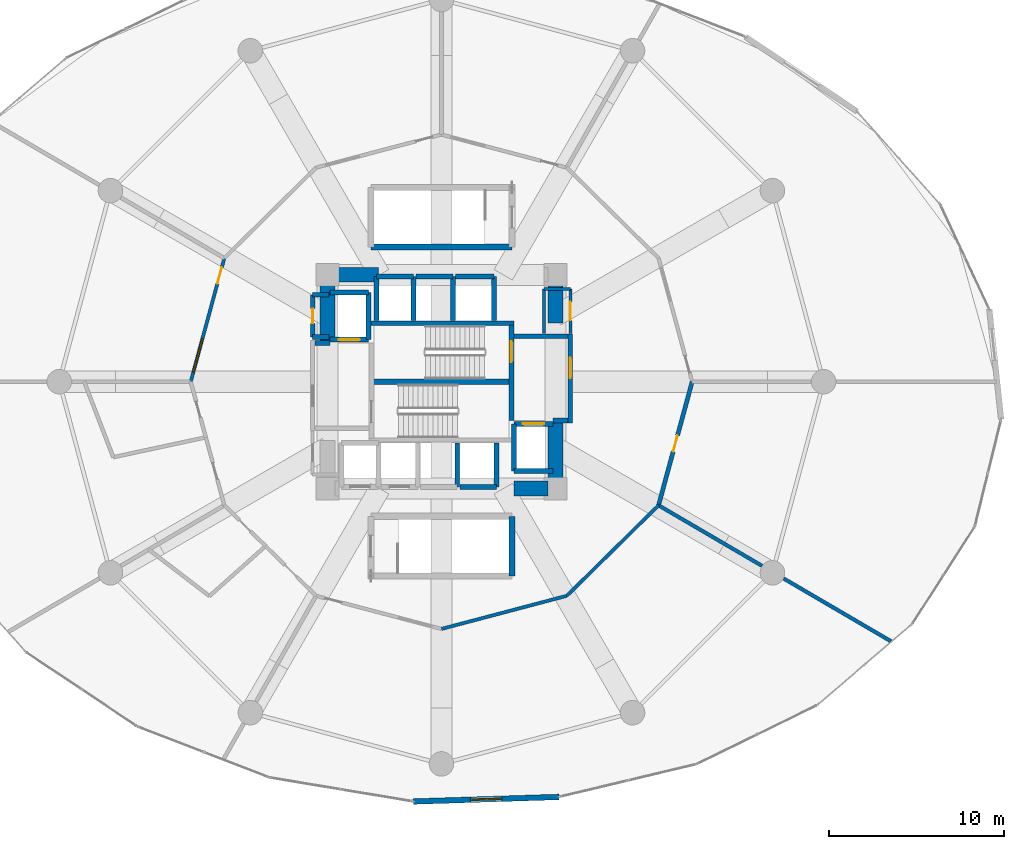
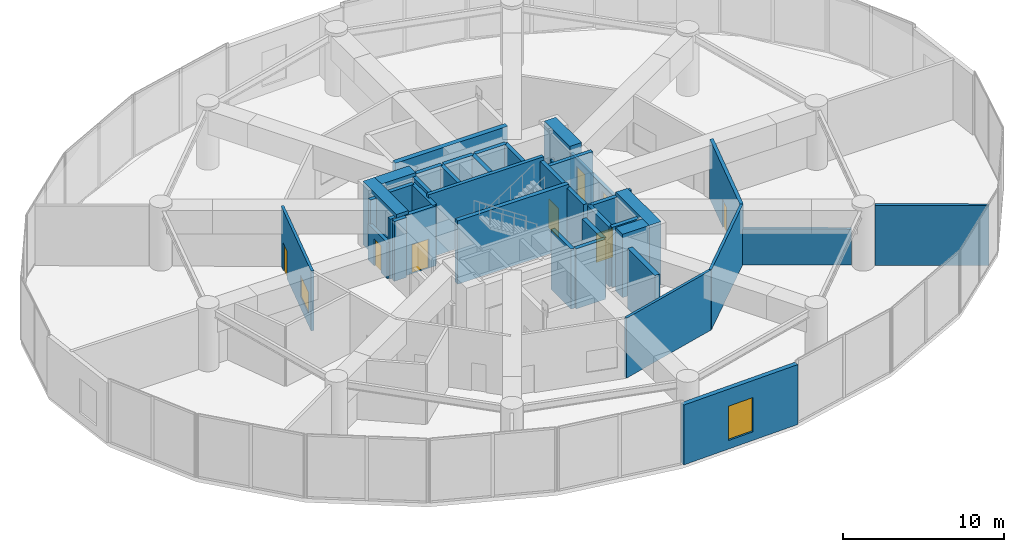
# One storey, part 24 of 27: 43 walls, 8 doors, 2 windows, 10 openings.
"""IFC4 building model written with IfcOpenShell, lengths in metres."""

from ifc_helpers import new_model, si_unit, direction, frame, frame_2d, origin, place, context, subcontext, project, spatial, rectangle, extrude, material, layer, layer_set, type_object, element, fill, save


model = new_model("IFC4")

# Units and contexts
model_context = context("Model", 3, precision=1e-05, world=origin(), true_north=direction((0.0, 1.0)))
body_context = subcontext(model_context, "Body", "Model", "MODEL_VIEW")
ifc_project = project(units=[si_unit("LENGTHUNIT", "METRE"), si_unit("AREAUNIT", "SQUARE_METRE"), si_unit("VOLUMEUNIT", "CUBIC_METRE"), si_unit("PLANEANGLEUNIT", "RADIAN"), si_unit("MASSUNIT", "GRAM", prefix="KILO")], contexts=[model_context])

# Site, building, storey
site_placement = place(None, origin())
site = spatial("IfcSite", under=ifc_project, at=site_placement, CompositionType="ELEMENT")
building_placement = place(site_placement, origin())
building = spatial("IfcBuilding", under=site, at=building_placement, Name="Solvirekh Grand Hotel", CompositionType="ELEMENT")
storey_placement = place(building_placement, frame((0.0, 0.0, 23.60009765625)))
storey = spatial("IfcBuildingStorey", under=building, at=storey_placement, Name="L04", CompositionType="ELEMENT", Elevation=23.60009765625)

# Walls
ifc_material_1 = material(Name="Concrete C50/60", Category="concrete")
ifc_layer_1 = layer(ifc_material_1, 0.35009765625)
ifc_layer_set_1 = layer_set([ifc_layer_1], Name="Concrete C50/60")
wall_type_1 = type_object("IfcWallType", Name="CoreDivWall_RC350", PredefinedType="SOLIDWALL", material=ifc_layer_set_1)
wall_1_placement = place(storey_placement, frame((-4.1298828125, 3.324951171875, 0.0), z_axis=(0.0, 0.0, 1.0), x_axis=(1.0, 0.0, 0.0)))
element("IfcWall", 1, at=wall_1_placement, inside=storey, type_object=wall_type_1, Name="L04 core stair box wall ST-N", PredefinedType="SOLIDWALL", context=body_context, shape_type="SweptSolid", body=[
    extrude(rectangle(XDim=8.259765625, YDim=0.25, at=frame_2d((4.1298828125, 0.0))), origin(), (0.0, 0.0, 1.0), 4.7998046875),
])
wall_2_placement = place(storey_placement, frame((4.02490234375, -11.074951171875, 0.0), z_axis=(0.0, 0.0, 1.0), x_axis=(0.0, 1.0, 0.0)))
element("IfcWall", 2, at=wall_2_placement, inside=storey, type_object=wall_type_1, Name="L04 podium stair ST-3 E enclosure wall", PredefinedType="SOLIDWALL", context=body_context, shape_type="SweptSolid", body=[
    extrude(rectangle(XDim=3.39990234375, YDim=0.35009765625, at=frame_2d((1.699951171875, 0.0))), origin(), (0.0, 0.0, 1.0), 4.539794921875),
])
wall_3_placement = place(storey_placement, frame((-4.02490234375, 7.675048828125, 0.0), z_axis=(0.0, 0.0, 1.0), x_axis=(1.0, 0.0, 0.0)))
element("IfcWall", 3, at=wall_3_placement, inside=storey, type_object=wall_type_1, Name="L04 feature stair ST-4 S enclosure wall", PredefinedType="SOLIDWALL", context=body_context, shape_type="SweptSolid", body=[
    extrude(rectangle(XDim=8.0498046875, YDim=0.35009765625, at=frame_2d((4.02490234375, 0.0))), origin(), (0.0, 0.0, 1.0), 4.539794921875),
])
ifc_material_2 = material(Name="Concrete C40/50", Category="concrete")
ifc_layer_2 = layer(ifc_material_2, 0.280029296875)
ifc_layer_set_2 = layer_set([ifc_layer_2], Name="Concrete C40/50")
wall_type_2 = type_object("IfcWallType", Name="CoreShaftWall_RC280", PredefinedType="SOLIDWALL", material=ifc_layer_set_2)
wall_4_placement = place(storey_placement, frame((0.89990234375, -6.0, 0.0), z_axis=(0.0, 0.0, 1.0), x_axis=(0.0, 1.0, 0.0)))
element("IfcWall", 4, at=wall_4_placement, inside=storey, type_object=wall_type_2, Name="L04 MP-1 hoistway E wall", PredefinedType="SOLIDWALL", context=body_context, shape_type="SweptSolid", body=[
    extrude(rectangle(XDim=2.5, YDim=0.280029296875, at=frame_2d((1.25, 0.0))), origin(), (0.0, 0.0, 1.0), 4.539794921875),
])
wall_5_placement = place(storey_placement, frame((1.050048828125, -6.0, 0.0), z_axis=(0.0, 0.0, 1.0), x_axis=(1.0, 0.0, 0.0)))
element("IfcWall", 5, at=wall_5_placement, inside=storey, type_object=wall_type_2, Name="L04 MP-2 hoistway S wall", PredefinedType="SOLIDWALL", context=body_context, shape_type="SweptSolid", body=[
    extrude(rectangle(XDim=2.099853515625, YDim=0.280029296875, at=frame_2d((1.0498046875, 0.0))), origin(), (0.0, 0.0, 1.0), 4.539794921875),
])
wall_6_placement = place(storey_placement, frame((3.14990234375, -6.0, 0.0), z_axis=(0.0, 0.0, 1.0), x_axis=(0.0, 1.0, 0.0)))
element("IfcWall", 6, at=wall_6_placement, inside=storey, type_object=wall_type_2, Name="L04 MP-2 hoistway E wall", PredefinedType="SOLIDWALL", context=body_context, shape_type="SweptSolid", body=[
    extrude(rectangle(XDim=2.5, YDim=0.280029296875, at=frame_2d((1.25, 0.0))), origin(), (0.0, 0.0, 1.0), 4.539794921875),
])
wall_7_placement = place(storey_placement, frame((-1.60009765625, 6.0, 0.0), z_axis=(0.0, 0.0, 1.0), x_axis=(-1.0, 0.0, 0.0)))
element("IfcWall", 7, at=wall_7_placement, inside=storey, type_object=wall_type_2, Name="L04 HP-1 hoistway N wall", PredefinedType="SOLIDWALL", context=body_context, shape_type="SweptSolid", body=[
    extrude(rectangle(XDim=2.099853515625, YDim=0.280029296875, at=frame_2d((1.0498046875, 0.0))), origin(), (0.0, 0.0, 1.0), 4.539794921875),
])
for number, where, z_axis, x_axis, name in (
    (8, (-3.699951171875, 6.0, 0.0), (0.0, 0.0, 1.0), (0.0, -1.0, 0.0), "L04 HP-1 hoistway W wall"),
    (9, (-1.60009765625, 3.5, 0.0), (0.0, 0.0, 1.0), (0.0, 1.0, 0.0), "L04 HP-1 hoistway E wall"),
):
    element("IfcWall", number, at=place(storey_placement, frame(where, z_axis=z_axis, x_axis=x_axis)), inside=storey, type_object=wall_type_2, Name=name, PredefinedType="SOLIDWALL", context=body_context, shape_type="SweptSolid", body=[
        extrude(rectangle(XDim=2.5, YDim=0.280029296875, at=frame_2d((1.25, 0.0))), origin(), (0.0, 0.0, 1.0), 4.539794921875),
    ])
wall_8_placement = place(storey_placement, frame((0.64990234375, 6.0, 0.0), z_axis=(0.0, 0.0, 1.0), x_axis=(-1.0, 0.0, 0.0)))
element("IfcWall", 10, at=wall_8_placement, inside=storey, type_object=wall_type_2, Name="L04 HP-2 hoistway N wall", PredefinedType="SOLIDWALL", context=body_context, shape_type="SweptSolid", body=[
    extrude(rectangle(XDim=2.099853515625, YDim=0.280029296875, at=frame_2d((1.0498046875, 0.0))), origin(), (0.0, 0.0, 1.0), 4.539794921875),
])
wall_9_placement = place(storey_placement, frame((0.64990234375, 3.5, 0.0), z_axis=(0.0, 0.0, 1.0), x_axis=(0.0, 1.0, 0.0)))
element("IfcWall", 11, at=wall_9_placement, inside=storey, type_object=wall_type_2, Name="L04 HP-2 hoistway E wall", PredefinedType="SOLIDWALL", context=body_context, shape_type="SweptSolid", body=[
    extrude(rectangle(XDim=2.5, YDim=0.280029296875, at=frame_2d((1.25, 0.0))), origin(), (0.0, 0.0, 1.0), 4.539794921875),
])
wall_10_placement = place(storey_placement, frame((3.0, 6.0, 0.0), z_axis=(0.0, 0.0, 1.0), x_axis=(-1.0, 0.0, 0.0)))
element("IfcWall", 12, at=wall_10_placement, inside=storey, type_object=wall_type_2, Name="L04 EX-1 hoistway N wall", PredefinedType="SOLIDWALL", context=body_context, shape_type="SweptSolid", body=[
    extrude(rectangle(XDim=2.199951171875, YDim=0.280029296875, at=frame_2d((1.10009765625, 0.0))), origin(), (0.0, 0.0, 1.0), 4.539794921875),
])
wall_11_placement = place(storey_placement, frame((3.0, 3.5, 0.0), z_axis=(0.0, 0.0, 1.0), x_axis=(0.0, 1.0, 0.0)))
element("IfcWall", 13, at=wall_11_placement, inside=storey, type_object=wall_type_2, Name="L04 EX-1 hoistway E wall", PredefinedType="SOLIDWALL", context=body_context, shape_type="SweptSolid", body=[
    extrude(rectangle(XDim=2.5, YDim=0.280029296875, at=frame_2d((1.25, 0.0))), origin(), (0.0, 0.0, 1.0), 4.539794921875),
])

# Wall, opening, door
wall_12_placement = place(storey_placement, frame((-6.35009765625, 2.39990234375, 0.0), z_axis=(0.0, 0.0, 1.0), x_axis=(1.0, 0.0, 0.0)))
wall_12 = element("IfcWall", 14, at=wall_12_placement, inside=storey, type_object=wall_type_2, Name="L04 FL-1 hoistway S wall", PredefinedType="SOLIDWALL", context=body_context, shape_type="SweptSolid", body=[
    extrude(rectangle(XDim=2.2001953125, YDim=0.280029296875, at=frame_2d((1.10009765625, 0.0))), origin(), (0.0, 0.0, 1.0), 4.539794921875),
])
opening_1_placement = place(wall_12_placement, frame((0.5, 0.0, 0.0)))
opening_1 = element("IfcOpeningElement", 15, at=opening_1_placement, cuts=wall_12, Name="Opening LD02", PredefinedType="OPENING", context=body_context, shape_type="SweptSolid", body=[
    extrude(rectangle(XDim=1.199951171875, YDim=2.199951171875, at=frame_2d((0.60009765625, 1.10009765625))), frame((0.0, 0.14990234375, 0.0), z_axis=(0.0, -1.0, 0.0), x_axis=(1.0, 0.0, 0.0)), (0.0, 0.0, 1.0), 0.300048828125),
])
ifc_material_3 = material(Name="Fire-Rated Steel Door Assembly", Category="steel")
door_type_1 = type_object("IfcDoorType", Name="Door_LiftFF_1200X2200", OperationType="SLIDING_TO_LEFT", PredefinedType="DOOR", material=ifc_material_3)
door_1_placement = place(opening_1_placement, origin())
door_1 = element("IfcDoor", 16, at=door_1_placement, inside=storey, type_object=door_type_1, Name="L04 FL-1 sliding lift landing door", OperationType="SLIDING_TO_LEFT", OverallHeight=2.199951171875, OverallWidth=1.199951171875, PredefinedType="DOOR", context=body_context, shape_type="SweptSolid", body=[
    extrude(rectangle(XDim=1.199951171875, YDim=2.199951171875, at=frame_2d((0.60009765625, 1.10009765625))), frame((0.0, 0.02490234375, 0.0), z_axis=(0.0, -1.0, 0.0), x_axis=(1.0, 0.0, 0.0)), (0.0, 0.0, 1.0), 0.050048828125),
])
fill(opening_1, door_1)

# Walls
wall_13_placement = place(storey_placement, frame((-4.14990234375, 5.10009765625, 0.0), z_axis=(0.0, 0.0, 1.0), x_axis=(-1.0, 0.0, 0.0)))
element("IfcWall", 17, at=wall_13_placement, inside=storey, type_object=wall_type_2, Name="L04 FL-1 hoistway N wall", PredefinedType="SOLIDWALL", context=body_context, shape_type="SweptSolid", body=[
    extrude(rectangle(XDim=2.2001953125, YDim=0.280029296875, at=frame_2d((1.10009765625, 0.0))), origin(), (0.0, 0.0, 1.0), 4.539794921875),
])
wall_14_placement = place(storey_placement, frame((-4.14990234375, 2.39990234375, 0.0), z_axis=(0.0, 0.0, 1.0), x_axis=(0.0, 1.0, 0.0)))
element("IfcWall", 18, at=wall_14_placement, inside=storey, type_object=wall_type_2, Name="L04 FL-1 hoistway E wall", PredefinedType="SOLIDWALL", context=body_context, shape_type="SweptSolid", body=[
    extrude(rectangle(XDim=2.7001953125, YDim=0.280029296875, at=frame_2d((1.35009765625, 0.0))), origin(), (0.0, 0.0, 1.0), 4.539794921875),
])
wall_15_placement = place(storey_placement, frame((4.14990234375, -5.10009765625, 0.0), z_axis=(0.0, 0.0, 1.0), x_axis=(1.0, 0.0, 0.0)))
element("IfcWall", 19, at=wall_15_placement, inside=storey, type_object=wall_type_2, Name="L04 FL-2 hoistway S wall", PredefinedType="SOLIDWALL", context=body_context, shape_type="SweptSolid", body=[
    extrude(rectangle(XDim=2.2001953125, YDim=0.280029296875, at=frame_2d((1.10009765625, 0.0))), origin(), (0.0, 0.0, 1.0), 4.539794921875),
])

# Wall, opening, door
wall_16_placement = place(storey_placement, frame((6.35009765625, -2.39990234375, 0.0), z_axis=(0.0, 0.0, 1.0), x_axis=(-1.0, 0.0, 0.0)))
wall_16 = element("IfcWall", 20, at=wall_16_placement, inside=storey, type_object=wall_type_2, Name="L04 FL-2 hoistway N wall", PredefinedType="SOLIDWALL", context=body_context, shape_type="SweptSolid", body=[
    extrude(rectangle(XDim=2.2001953125, YDim=0.280029296875, at=frame_2d((1.10009765625, 0.0))), origin(), (0.0, 0.0, 1.0), 4.539794921875),
])
opening_2_placement = place(wall_16_placement, frame((0.5, 0.0, 0.0)))
opening_2 = element("IfcOpeningElement", 21, at=opening_2_placement, cuts=wall_16, Name="Opening LD02", PredefinedType="OPENING", context=body_context, shape_type="SweptSolid", body=[
    extrude(rectangle(XDim=1.199951171875, YDim=2.199951171875, at=frame_2d((0.60009765625, 1.10009765625))), frame((0.0, 0.14990234375, 0.0), z_axis=(0.0, -1.0, 0.0), x_axis=(1.0, 0.0, 0.0)), (0.0, 0.0, 1.0), 0.300048828125),
])
door_2_placement = place(opening_2_placement, origin())
door_2 = element("IfcDoor", 22, at=door_2_placement, inside=storey, type_object=door_type_1, Name="L04 FL-2 sliding lift landing door", OperationType="SLIDING_TO_LEFT", OverallHeight=2.199951171875, OverallWidth=1.199951171875, PredefinedType="DOOR", context=body_context, shape_type="SweptSolid", body=[
    extrude(rectangle(XDim=1.199951171875, YDim=2.199951171875, at=frame_2d((0.60009765625, 1.10009765625))), frame((0.0, 0.02490234375, 0.0), z_axis=(0.0, -1.0, 0.0), x_axis=(1.0, 0.0, 0.0)), (0.0, 0.0, 1.0), 0.050048828125),
])
fill(opening_2, door_2)

# Wall
wall_17_placement = place(storey_placement, frame((4.14990234375, -2.39990234375, 0.0), z_axis=(0.0, 0.0, 1.0), x_axis=(0.0, -1.0, 0.0)))
element("IfcWall", 23, at=wall_17_placement, inside=storey, type_object=wall_type_2, Name="L04 FL-2 hoistway W wall", PredefinedType="SOLIDWALL", context=body_context, shape_type="SweptSolid", body=[
    extrude(rectangle(XDim=2.7001953125, YDim=0.280029296875, at=frame_2d((1.35009765625, 0.0))), origin(), (0.0, 0.0, 1.0), 4.539794921875),
])

# Wall, opening, door
wall_18_placement = place(storey_placement, frame((3.989990234375, -2.2099609375, 0.0), z_axis=(0.0, 0.0, 1.0), x_axis=(0.0, 1.0, 0.0)))
wall_18 = element("IfcWall", 24, at=wall_18_placement, inside=storey, type_object=wall_type_2, Name="L04 east stair landing enclosure wall", PredefinedType="SOLIDWALL", context=body_context, shape_type="SweptSolid", body=[
    extrude(rectangle(XDim=5.4599609375, YDim=0.280029296875, at=frame_2d((2.72998046875, 0.0))), origin(), (0.0, 0.0, 1.0), 4.539794921875),
])
opening_3_placement = place(wall_18_placement, frame((3.322998046875, 0.0, 0.0)))
opening_3 = element("IfcOpeningElement", 25, at=opening_3_placement, cuts=wall_18, Name="Opening D05", PredefinedType="OPENING", context=body_context, shape_type="SweptSolid", body=[
    extrude(rectangle(XDim=1.199951171875, YDim=2.199951171875, at=frame_2d((0.60009765625, 1.10009765625))), frame((0.0, 0.14990234375, 0.0), z_axis=(0.0, -1.0, 0.0), x_axis=(1.0, 0.0, 0.0)), (0.0, 0.0, 1.0), 0.300048828125),
])
door_type_2 = type_object("IfcDoorType", Name="Door_StairCore_1200X2200", OperationType="NOTDEFINED", PredefinedType="DOOR", material=ifc_material_3)
door_3_placement = place(opening_3_placement, origin())
door_3 = element("IfcDoor", 26, at=door_3_placement, inside=storey, type_object=door_type_2, Name="L04 exit stair ST-2 fire door", OperationType="SINGLE_SWING_RIGHT", OverallHeight=2.199951171875, OverallWidth=1.199951171875, PredefinedType="DOOR", context=body_context, shape_type="SweptSolid", body=[
    extrude(rectangle(XDim=1.199951171875, YDim=2.199951171875, at=frame_2d((0.60009765625, 1.10009765625))), frame((0.0, 0.02490234375, 0.0), z_axis=(0.0, -1.0, 0.0), x_axis=(1.0, 0.0, 0.0)), (0.0, 0.0, 1.0), 0.050048828125),
])
fill(opening_3, door_3)

# Walls
ifc_material_4 = material(Name="Concrete C60/75", Category="concrete")
ifc_layer_3 = layer(ifc_material_4, 0.85009765625)
ifc_layer_set_3 = layer_set([ifc_layer_3], Name="Concrete C60/75")
wall_type_3 = type_object("IfcWallType", Name="CoreWall_RC850", PredefinedType="SHEAR", material=ifc_layer_set_3)
wall_19_placement = place(storey_placement, frame((-3.989990234375, 0.0, 0.0), z_axis=(0.0, 0.0, 1.0), x_axis=(1.0, 0.0, 0.0)))
element("IfcWall", 27, at=wall_19_placement, inside=storey, type_object=wall_type_3, Name="L04 central stair-spine shear wall", PredefinedType="SHEAR", context=body_context, shape_type="SweptSolid", body=[
    extrude(rectangle(XDim=7.97998046875, YDim=0.300048828125, at=frame_2d((3.989990234375, 0.0))), origin(), (0.0, 0.0, 1.0), 4.7998046875),
])
wall_20_placement = place(storey_placement, frame((4.14990234375, -6.10009765625, 0.0), z_axis=(0.0, 0.0, 1.0), x_axis=(1.0, 0.0, 0.0)))
element("IfcWall", 28, at=wall_20_placement, inside=storey, type_object=wall_type_3, Name="L04 core corner shear wall SE-S", PredefinedType="SHEAR", context=body_context, shape_type="SweptSolid", body=[
    extrude(rectangle(XDim=1.925048828125, YDim=0.85009765625, at=frame_2d((0.96240234375, 0.0))), origin(), (0.0, 0.0, 1.0), 4.7998046875),
])
wall_21_placement = place(storey_placement, frame((-6.074951171875, 6.10009765625, 0.0), z_axis=(0.0, 0.0, 1.0), x_axis=(1.0, 0.0, 0.0)))
element("IfcWall", 29, at=wall_21_placement, inside=storey, type_object=wall_type_3, Name="L04 core corner shear wall NW-N", PredefinedType="SHEAR", context=body_context, shape_type="SweptSolid", body=[
    extrude(rectangle(XDim=2.474853515625, YDim=0.85009765625, at=frame_2d((1.2373046875, 0.0))), origin(), (0.0, 0.0, 1.0), 4.7998046875),
])
for number, where, z_axis, x_axis, name in (
    (30, (-6.5, 2.35009765625, 0.0), (0.0, 0.0, 1.0), (0.0, 1.0, 0.0), "L04 core corner shear wall WN-W"),
    (31, (6.5, -6.52490234375, 0.0), (0.0, 0.0, 1.0), (0.0, 1.0, 0.0), "L04 core corner shear wall ES-E"),
):
    element("IfcWall", number, at=place(storey_placement, frame(where, z_axis=z_axis, x_axis=x_axis)), inside=storey, type_object=wall_type_3, Name=name, PredefinedType="SHEAR", context=body_context, shape_type="SweptSolid", body=[
        extrude(rectangle(XDim=4.1748046875, YDim=0.85009765625, at=frame_2d((2.08740234375, 0.0))), origin(), (0.0, 0.0, 1.0), 4.7998046875),
    ])
wall_22_placement = place(storey_placement, frame((6.5, 3.35009765625, 0.0), z_axis=(0.0, 0.0, 1.0), x_axis=(0.0, 1.0, 0.0)))
element("IfcWall", 32, at=wall_22_placement, inside=storey, type_object=wall_type_3, Name="L04 core corner shear wall EN-E", PredefinedType="SHEAR", context=body_context, shape_type="SweptSolid", body=[
    extrude(rectangle(XDim=3.1748046875, YDim=0.85009765625, at=frame_2d((1.58740234375, 0.0))), origin(), (0.0, 0.0, 1.0), 4.7998046875),
])

# Wall, opening, window
ifc_material_5 = material(Name="Precast concrete C45/55", Category="concrete")
ifc_layer_4 = layer(ifc_material_5, 0.320068359375)
ifc_layer_set_4 = layer_set([ifc_layer_4], Name="Precast concrete C45/55")
wall_type_4 = type_object("IfcWallType", Name="ExtLobbyWall_RC320", PredefinedType="SOLIDWALL", material=ifc_layer_set_4)
wall_23_placement = place(storey_placement, frame((6.7109375, -23.68505859375, 0.0), z_axis=(0.0, 0.0, 1.0), x_axis=(-0.999508118347, -0.031361144071, 0.0)))
wall_23 = element("IfcWall", 33, at=wall_23_placement, inside=storey, type_object=wall_type_4, Name="L04 exterior structural wall chord 19", PredefinedType="SOLIDWALL", context=body_context, shape_type="SweptSolid", body=[
    extrude(rectangle(XDim=8.322021484375, YDim=0.320068359375, at=frame_2d((4.1611328125, 0.0))), origin(), (0.0, 0.0, 1.0), 4.539794921875),
])
opening_4_placement = place(wall_23_placement, frame((3.260986328125, 0.0, 0.64990234375)))
opening_4 = element("IfcOpeningElement", 34, at=opening_4_placement, cuts=wall_23, Name="Opening W02", PredefinedType="OPENING", context=body_context, shape_type="SweptSolid", body=[
    extrude(rectangle(XDim=1.800048828125, YDim=2.60009765625, at=frame_2d((0.89990234375, 1.300048828125))), frame((0.0, 0.169921875, 0.0), z_axis=(0.0, -1.0, 0.0), x_axis=(1.0, 0.0, 0.0)), (0.0, 0.0, 1.0), 0.340087890625),
])
ifc_material_6 = material(Name="Low-E Tinted Bronze Laminated Glass", Category="aluminium")
window_type_1 = type_object("IfcWindowType", Name="Win_LobbyExt_1800X2600", PartitioningType="SINGLE_PANEL", PredefinedType="WINDOW", material=ifc_material_6)
window_1_placement = place(opening_4_placement, origin())
window_1 = element("IfcWindow", 35, at=window_1_placement, inside=storey, type_object=window_type_1, Name="L04 panoramic bronze-framed window 19", OverallHeight=2.60009765625, OverallWidth=1.800048828125, PartitioningType="SINGLE_PANEL", PredefinedType="WINDOW", context=body_context, shape_type="SweptSolid", body=[
    extrude(rectangle(XDim=1.800048828125, YDim=2.60009765625, at=frame_2d((0.89990234375, 1.300048828125))), frame((0.0, 0.030029296875, 0.0), z_axis=(0.0, -1.0, 0.0), x_axis=(1.0, 0.0, 0.0)), (0.0, 0.0, 1.0), 0.06005859375),
])
fill(opening_4, window_1)

# Wall, opening, door
ifc_material_7 = material(Name="Acoustic Gypsum Partition Assembly")
ifc_layer_5 = layer(ifc_material_7, 0.1650390625)
ifc_layer_set_5 = layer_set([ifc_layer_5], Name="Acoustic Gypsum Partition Assembly")
wall_type_5 = type_object("IfcWallType", Name="Part_BOH_165", PredefinedType="PARTITIONING", material=ifc_layer_set_5)
wall_24_placement = place(storey_placement, frame((7.35009765625, 2.75, 0.0), z_axis=(0.0, 0.0, 1.0), x_axis=(0.0, 1.0, 0.0)))
wall_24 = element("IfcWall", 36, at=wall_24_placement, inside=storey, type_object=wall_type_5, Name="L04 L04 Telecom Distribution Room wall 2", PredefinedType="PARTITIONING", context=body_context, shape_type="SweptSolid", body=[
    extrude(rectangle(XDim=2.550048828125, YDim=0.1650390625, at=frame_2d((1.27490234375, 0.0))), origin(), (0.0, 0.0, 1.0), 2.724853515625),
])
opening_5_placement = place(wall_24_placement, frame((0.75, 0.0, 0.0)))
opening_5 = element("IfcOpeningElement", 37, at=opening_5_placement, cuts=wall_24, Name="Opening D12", PredefinedType="OPENING", context=body_context, shape_type="SweptSolid", body=[
    extrude(rectangle(XDim=1.050048828125, YDim=2.14990234375, at=frame_2d((0.52490234375, 1.074951171875))), frame((0.0, 0.092529296875, 0.0), z_axis=(0.0, -1.0, 0.0), x_axis=(1.0, 0.0, 0.0)), (0.0, 0.0, 1.0), 0.18505859375),
])
door_type_3 = type_object("IfcDoorType", Name="Door_PlantBOH_1050X2150", OperationType="NOTDEFINED", PredefinedType="DOOR", material=ifc_material_3)
door_4_placement = place(opening_5_placement, origin())
door_4 = element("IfcDoor", 38, at=door_4_placement, inside=storey, type_object=door_type_3, Name="L04 L04 Telecom Distribution Room door", OperationType="SINGLE_SWING_LEFT", OverallHeight=2.14990234375, OverallWidth=1.050048828125, PredefinedType="DOOR", context=body_context, shape_type="SweptSolid", body=[
    extrude(rectangle(XDim=1.050048828125, YDim=2.14990234375, at=frame_2d((0.52490234375, 1.074951171875))), frame((0.0, 0.02490234375, 0.0), z_axis=(0.0, -1.0, 0.0), x_axis=(1.0, 0.0, 0.0)), (0.0, 0.0, 1.0), 0.050048828125),
])
fill(opening_5, door_4)

# Walls
wall_25_placement = place(storey_placement, frame((7.35009765625, 5.300048828125, 0.0), z_axis=(0.0, 0.0, 1.0), x_axis=(-1.0, 0.0, 0.0)))
element("IfcWall", 39, at=wall_25_placement, inside=storey, type_object=wall_type_5, Name="L04 L04 Telecom Distribution Room wall 3", PredefinedType="PARTITIONING", context=body_context, shape_type="SweptSolid", body=[
    extrude(rectangle(XDim=1.5, YDim=0.1650390625, at=frame_2d((0.75, 0.0))), origin(), (0.0, 0.0, 1.0), 2.724853515625),
])
wall_26_placement = place(storey_placement, frame((5.85009765625, 5.300048828125, 0.0), z_axis=(0.0, 0.0, 1.0), x_axis=(0.0, -1.0, 0.0)))
element("IfcWall", 40, at=wall_26_placement, inside=storey, type_object=wall_type_5, Name="L04 L04 Telecom Distribution Room wall 4", PredefinedType="PARTITIONING", context=body_context, shape_type="SweptSolid", body=[
    extrude(rectangle(XDim=2.550048828125, YDim=0.1650390625, at=frame_2d((1.27490234375, 0.0))), origin(), (0.0, 0.0, 1.0), 2.724853515625),
])

# Wall, opening, door
ifc_layer_6 = layer(ifc_material_7, 0.239990234375)
ifc_layer_set_6 = layer_set([ifc_layer_6], Name="Acoustic Gypsum Partition Assembly")
wall_type_6 = type_object("IfcWallType", Name="Part_Corridor_240", PredefinedType="PARTITIONING", material=ifc_layer_set_6)
wall_27_placement = place(storey_placement, frame((7.35009765625, -2.340087890625, 0.0), z_axis=(0.0, 0.0, 1.0), x_axis=(0.0, 1.0, 0.0)))
wall_27 = element("IfcWall", 41, at=wall_27_placement, inside=storey, type_object=wall_type_6, Name="L04 east firefighting lobby smoke screen wall", PredefinedType="PARTITIONING", context=body_context, shape_type="SweptSolid", body=[
    extrude(rectangle(XDim=5.070068359375, YDim=0.239990234375, at=frame_2d((2.53515625, 0.0))), origin(), (0.0, 0.0, 1.0), 2.724853515625),
])
opening_6_placement = place(wall_27_placement, frame((2.548095703125, 0.0, 0.0)))
opening_6 = element("IfcOpeningElement", 42, at=opening_6_placement, cuts=wall_27, Name="Opening D06", PredefinedType="OPENING", context=body_context, shape_type="SweptSolid", body=[
    extrude(rectangle(XDim=1.14990234375, YDim=2.199951171875, at=frame_2d((0.574951171875, 1.10009765625))), frame((0.0, 0.1298828125, 0.0), z_axis=(0.0, -1.0, 0.0), x_axis=(1.0, 0.0, 0.0)), (0.0, 0.0, 1.0), 0.260009765625),
])
door_type_4 = type_object("IfcDoorType", Name="Door_FFLobby_1150X2200", OperationType="NOTDEFINED", PredefinedType="DOOR", material=ifc_material_3)
door_5_placement = place(opening_6_placement, origin())
door_5 = element("IfcDoor", 43, at=door_5_placement, inside=storey, type_object=door_type_4, Name="L04 east firefighting lobby smoke door", OperationType="SINGLE_SWING_RIGHT", OverallHeight=2.199951171875, OverallWidth=1.14990234375, PredefinedType="DOOR", context=body_context, shape_type="SweptSolid", body=[
    extrude(rectangle(XDim=1.14990234375, YDim=2.199951171875, at=frame_2d((0.574951171875, 1.10009765625))), frame((0.0, 0.02490234375, 0.0), z_axis=(0.0, -1.0, 0.0), x_axis=(1.0, 0.0, 0.0)), (0.0, 0.0, 1.0), 0.050048828125),
])
fill(opening_6, door_5)

wall_28_placement = place(storey_placement, frame((12.384033203125, -7.050048828125, 0.0), z_axis=(0.0, 0.0, 1.0), x_axis=(0.262260528785, 0.964997106235, 0.0)))
wall_28 = element("IfcWall", 44, at=wall_28_placement, inside=storey, type_object=wall_type_6, Name="L04 Spa Linen & Housekeeping Room corridor wall", PredefinedType="PARTITIONING", context=body_context, shape_type="SweptSolid", body=[
    extrude(rectangle(XDim=7.3056640625, YDim=0.239990234375, at=frame_2d((3.65283203125, 0.0))), origin(), (0.0, 0.0, 1.0), 4.539794921875),
])
opening_7_placement = place(wall_28_placement, frame((3.177978515625, 0.0, 0.0)))
opening_7 = element("IfcOpeningElement", 45, at=opening_7_placement, cuts=wall_28, Name="Opening D10", PredefinedType="OPENING", context=body_context, shape_type="SweptSolid", body=[
    extrude(rectangle(XDim=0.949951171875, YDim=2.10009765625, at=frame_2d((0.47509765625, 1.050048828125))), frame((0.0, 0.1298828125, 0.0), z_axis=(0.0, -1.0, 0.0), x_axis=(1.0, 0.0, 0.0)), (0.0, 0.0, 1.0), 0.260009765625),
])
ifc_material_8 = material(Name="Anodized Bronze Aluminium 6063-T6", Category="aluminium")
door_type_5 = type_object("IfcDoorType", Name="Door_RoomInt_950X2100", OperationType="NOTDEFINED", PredefinedType="DOOR", material=ifc_material_8)
door_6_placement = place(opening_7_placement, origin())
door_6 = element("IfcDoor", 46, at=door_6_placement, inside=storey, type_object=door_type_5, Name="L04 Spa Linen & Housekeeping Room entrance door", OperationType="SINGLE_SWING_LEFT", OverallHeight=2.10009765625, OverallWidth=0.949951171875, PredefinedType="DOOR", context=body_context, shape_type="SweptSolid", body=[
    extrude(rectangle(XDim=0.949951171875, YDim=2.10009765625, at=frame_2d((0.47509765625, 1.050048828125))), frame((0.0, 0.02490234375, 0.0), z_axis=(0.0, -1.0, 0.0), x_axis=(1.0, 0.0, 0.0)), (0.0, 0.0, 1.0), 0.050048828125),
])
fill(opening_7, door_6)

# Wall, openings, door, window
ifc_layer_7 = layer(ifc_material_7, 0.18994140625)
ifc_layer_set_7 = layer_set([ifc_layer_7], Name="Acoustic Gypsum Partition Assembly")
wall_type_7 = type_object("IfcWallType", Name="Part_GuestDemise_190", PredefinedType="PARTITIONING", material=ifc_layer_set_7)
wall_29_placement = place(storey_placement, frame((-12.384033203125, 7.050048828125, 0.0), z_axis=(0.0, 0.0, 1.0), x_axis=(-0.262260528785, -0.964997106235, 0.0)))
wall_29 = element("IfcWall", 47, at=wall_29_placement, inside=storey, type_object=wall_type_7, Name="L04 Panoramic Fitness & Pilates Studio corridor wall", PredefinedType="PARTITIONING", context=body_context, shape_type="SweptSolid", body=[
    extrude(rectangle(XDim=7.3056640625, YDim=0.18994140625, at=frame_2d((3.65283203125, 0.0))), origin(), (0.0, 0.0, 1.0), 4.539794921875),
])
opening_8_placement = place(wall_29_placement, frame((0.550048828125, 0.0, 0.0)))
opening_8 = element("IfcOpeningElement", 48, at=opening_8_placement, cuts=wall_29, Name="Opening D10", PredefinedType="OPENING", context=body_context, shape_type="SweptSolid", body=[
    extrude(rectangle(XDim=0.949951171875, YDim=2.10009765625, at=frame_2d((0.47509765625, 1.050048828125))), frame((0.0, 0.10498046875, 0.0), z_axis=(0.0, -1.0, 0.0), x_axis=(1.0, 0.0, 0.0)), (0.0, 0.0, 1.0), 0.2099609375),
])
opening_9_placement = place(wall_29_placement, frame((4.756103515625, 0.0, 0.89990234375)))
opening_9 = element("IfcOpeningElement", 49, at=opening_9_placement, cuts=wall_29, Name="Opening W03", PredefinedType="OPENING", context=body_context, shape_type="SweptSolid", body=[
    extrude(rectangle(XDim=2.0, YDim=1.60009765625, at=frame_2d((1.0, 0.800048828125))), frame((0.0, 0.10498046875, 0.0), z_axis=(0.0, -1.0, 0.0), x_axis=(1.0, 0.0, 0.0)), (0.0, 0.0, 1.0), 0.2099609375),
])
door_7_placement = place(opening_8_placement, origin())
door_7 = element("IfcDoor", 50, at=door_7_placement, inside=storey, type_object=door_type_5, Name="L04 Panoramic Fitness & Pilates Studio entrance door", OperationType="SINGLE_SWING_LEFT", OverallHeight=2.10009765625, OverallWidth=0.949951171875, PredefinedType="DOOR", context=body_context, shape_type="SweptSolid", body=[
    extrude(rectangle(XDim=0.949951171875, YDim=2.10009765625, at=frame_2d((0.47509765625, 1.050048828125))), frame((0.0, 0.02490234375, 0.0), z_axis=(0.0, -1.0, 0.0), x_axis=(1.0, 0.0, 0.0)), (0.0, 0.0, 1.0), 0.050048828125),
])
fill(opening_8, door_7)
ifc_material_9 = material(Name="Fire-Rated Ceramic Glazing", Category="glass")
window_type_2 = type_object("IfcWindowType", Name="Win_FoyerInt_2000X1600", PartitioningType="SINGLE_PANEL", PredefinedType="WINDOW", material=ifc_material_9)
window_2_placement = place(opening_9_placement, origin())
window_2 = element("IfcWindow", 51, at=window_2_placement, inside=storey, type_object=window_type_2, Name="L04 Panoramic Fitness & Pilates Studio interior glazed screen", OverallHeight=1.60009765625, OverallWidth=2.0, PartitioningType="SINGLE_PANEL", PredefinedType="WINDOW", context=body_context, shape_type="SweptSolid", body=[
    extrude(rectangle(XDim=2.0, YDim=1.60009765625, at=frame_2d((1.0, 0.800048828125))), frame((0.0, 0.030029296875, 0.0), z_axis=(0.0, -1.0, 0.0), x_axis=(1.0, 0.0, 0.0)), (0.0, 0.0, 1.0), 0.06005859375),
])
fill(opening_9, window_2)

# Walls
wall_30_placement = place(storey_placement, frame((0.0, -14.10009765625, 0.0), z_axis=(0.0, 0.0, 1.0), x_axis=(0.966820901533, 0.255455170937, 0.0)))
element("IfcWall", 52, at=wall_30_placement, inside=storey, type_object=wall_type_7, Name="L04 Holistic Massage & Treatment Hall corridor wall 2", PredefinedType="PARTITIONING", context=body_context, shape_type="SweptSolid", body=[
    extrude(rectangle(XDim=7.395263671875, YDim=0.18994140625, at=frame_2d((3.69775390625, 0.0))), origin(), (0.0, 0.0, 1.0), 4.539794921875),
])
wall_31_placement = place(storey_placement, frame((7.14990234375, -12.2109375, 0.0), z_axis=(0.0, 0.0, 1.0), x_axis=(0.712071304345, 0.702107155303, 0.0)))
element("IfcWall", 53, at=wall_31_placement, inside=storey, type_object=wall_type_7, Name="L04 Holistic Massage & Treatment Hall corridor wall 3", PredefinedType="PARTITIONING", context=body_context, shape_type="SweptSolid", body=[
    extrude(rectangle(XDim=7.3505859375, YDim=0.18994140625, at=frame_2d((3.67529296875, 0.0))), origin(), (0.0, 0.0, 1.0), 4.539794921875),
])
ifc_layer_8 = layer(ifc_material_7, 0.260009765625)
ifc_layer_set_8 = layer_set([ifc_layer_8], Name="Acoustic Gypsum Partition Assembly")
wall_type_8 = type_object("IfcWallType", Name="Part_LobbyFF_260", PredefinedType="PARTITIONING", material=ifc_layer_set_8)
for number, where, z_axis, x_axis, name in (
    (54, (-7.22509765625, 2.2099609375, 0.0), (0.0, 0.0, 1.0), (1.0, 0.0, 0.0), "L04 west firefighting lobby NW cheek"),
    (55, (6.35009765625, -2.2099609375, 0.0), (0.0, 0.0, 1.0), (1.0, 0.0, 0.0), "L04 east firefighting lobby SE cheek"),
):
    element("IfcWall", number, at=place(storey_placement, frame(where, z_axis=z_axis, x_axis=x_axis)), inside=storey, type_object=wall_type_8, Name=name, PredefinedType="PARTITIONING", context=body_context, shape_type="SweptSolid", body=[
        extrude(rectangle(XDim=0.875, YDim=0.260009765625, at=frame_2d((0.4375, 0.0))), origin(), (0.0, 0.0, 1.0), 4.539794921875),
    ])
wall_32_placement = place(storey_placement, frame((4.1298828125, 2.60009765625, 0.0), z_axis=(0.0, 0.0, 1.0), x_axis=(1.0, 0.0, 0.0)))
element("IfcWall", 56, at=wall_32_placement, inside=storey, type_object=wall_type_8, Name="L04 east firefighting lobby north partition", PredefinedType="PARTITIONING", context=body_context, shape_type="SweptSolid", body=[
    extrude(rectangle(XDim=3.09521484375, YDim=0.260009765625, at=frame_2d((1.547607421875, 0.0))), origin(), (0.0, 0.0, 1.0), 4.539794921875),
])
for number, where, z_axis, x_axis, name in (
    (57, (-7.35009765625, 4.949951171875, 0.0), (0.0, 0.0, 1.0), (1.0, 0.0, 0.0), "L04 NW telecom metering cupboard north wall"),
    (58, (-7.35009765625, 2.550048828125, 0.0), (0.0, 0.0, 1.0), (1.0, 0.0, 0.0), "L04 NW telecom metering cupboard south wall"),
):
    element("IfcWall", number, at=place(storey_placement, frame(where, z_axis=z_axis, x_axis=x_axis)), inside=storey, type_object=wall_type_8, Name=name, PredefinedType="PARTITIONING", context=body_context, shape_type="SweptSolid", body=[
        extrude(rectangle(XDim=0.93017578125, YDim=0.260009765625, at=frame_2d((0.465087890625, 0.0))), origin(), (0.0, 0.0, 1.0), 4.539794921875),
    ])

# Wall, opening, door
wall_33_placement = place(storey_placement, frame((-7.35009765625, 2.550048828125, 0.0), z_axis=(0.0, 0.0, 1.0), x_axis=(0.0, 1.0, 0.0)))
wall_33 = element("IfcWall", 59, at=wall_33_placement, inside=storey, type_object=wall_type_8, Name="L04 NW telecom metering cupboard access wall", PredefinedType="PARTITIONING", context=body_context, shape_type="SweptSolid", body=[
    extrude(rectangle(XDim=2.39990234375, YDim=0.260009765625, at=frame_2d((1.199951171875, 0.0))), origin(), (0.0, 0.0, 1.0), 2.724853515625),
])
opening_10_placement = place(wall_33_placement, frame((0.77490234375, 0.0, 0.0)))
opening_10 = element("IfcOpeningElement", 60, at=opening_10_placement, cuts=wall_33, Name="Opening D13", PredefinedType="OPENING", context=body_context, shape_type="SweptSolid", body=[
    extrude(rectangle(XDim=0.85009765625, YDim=2.050048828125, at=frame_2d((0.425048828125, 1.02490234375))), frame((0.0, 0.14013671875, 0.0), z_axis=(0.0, -1.0, 0.0), x_axis=(1.0, 0.0, 0.0)), (0.0, 0.0, 1.0), 0.280029296875),
])
door_type_6 = type_object("IfcDoorType", Name="Door_RiserShaft_850X2050", OperationType="NOTDEFINED", PredefinedType="DOOR", material=ifc_material_3)
door_8_placement = place(opening_10_placement, origin())
door_8 = element("IfcDoor", 61, at=door_8_placement, inside=storey, type_object=door_type_6, Name="L04 telecom metering cupboard access door", OperationType="SINGLE_SWING_LEFT", OverallHeight=2.050048828125, OverallWidth=0.85009765625, PredefinedType="DOOR", context=body_context, shape_type="SweptSolid", body=[
    extrude(rectangle(XDim=0.85009765625, YDim=2.050048828125, at=frame_2d((0.425048828125, 1.02490234375))), frame((0.0, 0.02490234375, 0.0), z_axis=(0.0, -1.0, 0.0), x_axis=(1.0, 0.0, 0.0)), (0.0, 0.0, 1.0), 0.050048828125),
])
fill(opening_10, door_8)

# Walls
ifc_layer_9 = layer(ifc_material_7, 0.2099609375)
ifc_layer_set_9 = layer_set([ifc_layer_9], Name="Acoustic Gypsum Partition Assembly")
wall_type_9 = type_object("IfcWallType", Name="Part_SuiteDemise_210", PredefinedType="PARTITIONING", material=ifc_layer_set_9)
wall_34_placement = place(storey_placement, frame((12.384033203125, -7.050048828125, 0.0), z_axis=(0.0, 0.0, 1.0), x_axis=(0.863200238908, -0.504861711313, 0.0)))
element("IfcWall", 62, at=wall_34_placement, inside=storey, type_object=wall_type_9, Name="L04 radial demising wall 12 (A)", PredefinedType="PARTITIONING", context=body_context, shape_type="SweptSolid", body=[
    extrude(rectangle(XDim=6.83154296875, YDim=0.2099609375, at=frame_2d((3.415771484375, 0.0))), origin(), (0.0, 0.0, 1.0), 2.724853515625),
])
wall_35_placement = place(storey_placement, frame((19.52197265625, -11.22509765625, 0.0), z_axis=(0.0, 0.0, 1.0), x_axis=(0.863224110389, -0.504820894222, 0.0)))
element("IfcWall", 63, at=wall_35_placement, inside=storey, type_object=wall_type_9, Name="L04 radial demising wall 12 (B)", PredefinedType="PARTITIONING", context=body_context, shape_type="SweptSolid", body=[
    extrude(rectangle(XDim=7.09326171875, YDim=0.2099609375, at=frame_2d((3.546630859375, 0.0))), origin(), (0.0, 0.0, 1.0), 4.539794921875),
])

save(model, "model.ifc")
